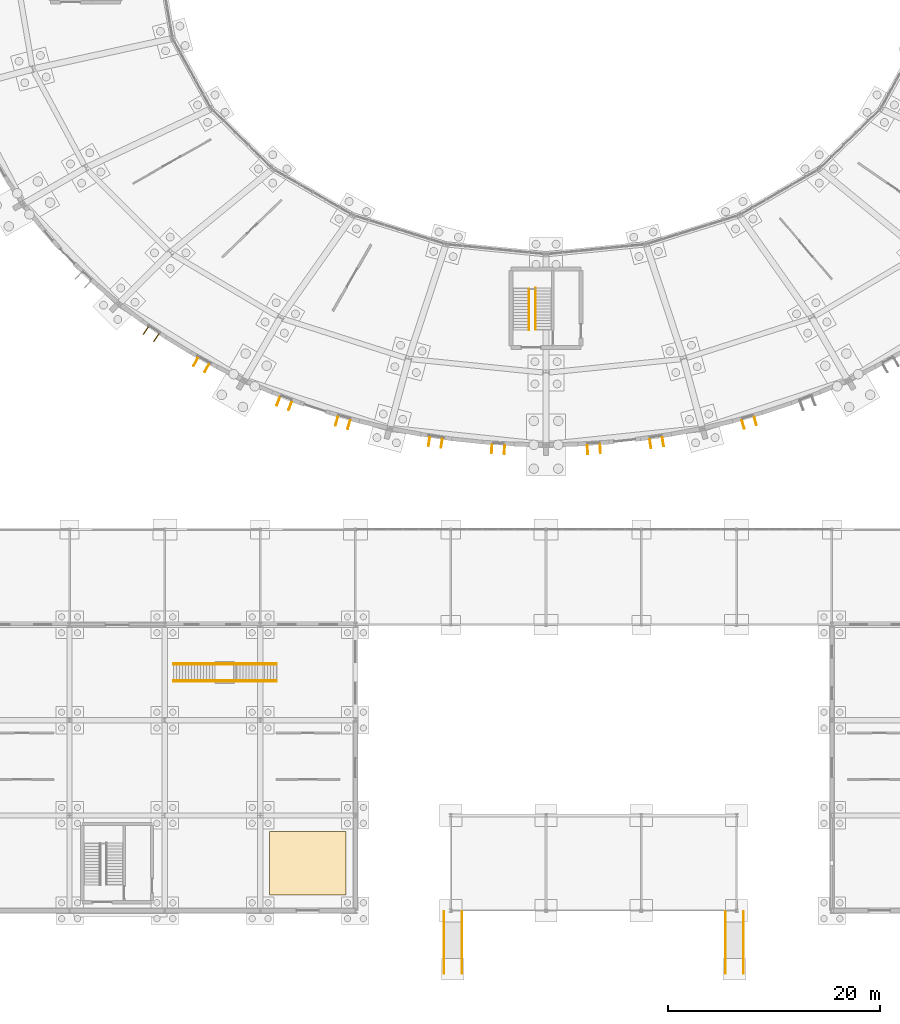
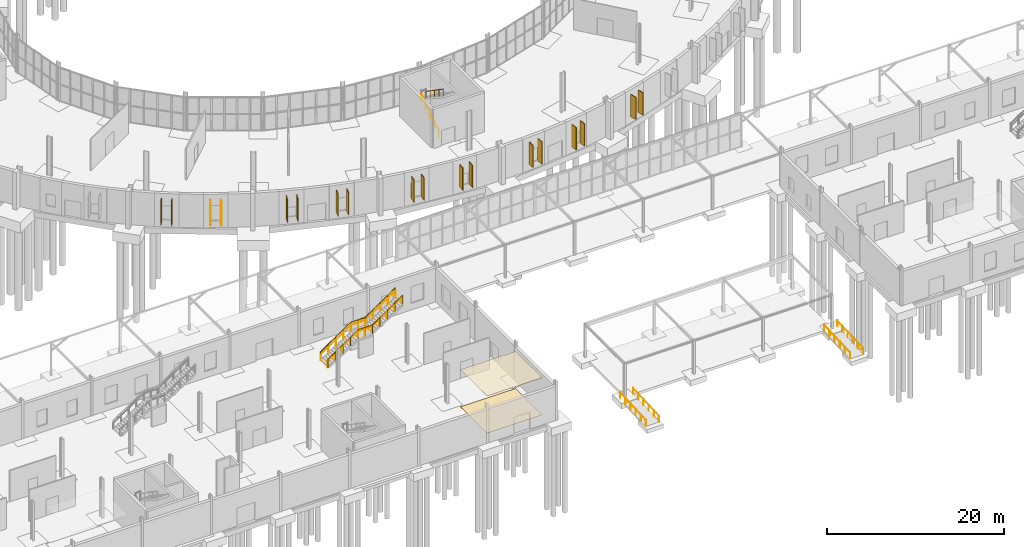
# One storey, part 106 of 118: 18 shading devices, 10 railings, 2 coverings.
"""IFC4 building model written with IfcOpenShell, lengths in metres."""

import ifcopenshell
import ifcopenshell.guid

model = None  # the IFC model being written
_history = None  # IfcOwnerHistory: only IFC2X3 demands one
_inside = {}  # id of a spatial element -> (the spatial element, [elements in it])
_under = {}  # id of a project, library or spatial element -> (it, [spatial elements below it])
_declared = {}  # id of a project -> (the project, [libraries it declares])
_typed = {}  # id of a type object -> (the type object, [elements of that type])
_made_of = {}  # id of a material, layer set ... -> (it, [elements and type objects made of it])


def new_model(schema):
    """Start an empty IFC model of exactly this schema.

    Asked for "IFC4X3", IfcOpenShell would pick the latest addendum, in which some entities
    have other attributes; the version numbers below select the first issue.
    IFC2X3 requires an IfcOwnerHistory on every rooted entity: one is made here for all.
    """
    global model, _history
    if schema == "IFC4X3":
        model = ifcopenshell.file(schema_version=(4, 3, 0, 0))
    else:
        model = ifcopenshell.file(schema=schema)
    _inside.clear()
    _under.clear()
    _declared.clear()
    _typed.clear()
    _made_of.clear()
    _history = None
    if model.schema == "IFC2X3":
        org = make("IfcOrganization", Name="unknown")
        user = make(
            "IfcPersonAndOrganization",
            ThePerson=make("IfcPerson", FamilyName="unknown"),
            TheOrganization=org,
        )
        app = make(
            "IfcApplication",
            ApplicationDeveloper=org,
            Version="unknown",
            ApplicationFullName="unknown",
            ApplicationIdentifier="unknown",
        )
        _history = make(
            "IfcOwnerHistory",
            OwningUser=user,
            OwningApplication=app,
            ChangeAction="ADDED",
            CreationDate=0,
        )
    return model


def make(cls, **values):
    """One entity of the class cls with the attributes given. An attribute that is None is left unset."""
    return model.create_entity(
        cls, **{name: value for name, value in values.items() if value is not None}
    )


def rooted(cls, **values):
    """An entity with a GlobalId (a new one), such as an element, a storey or a relation."""
    return make(cls, GlobalId=ifcopenshell.guid.new(), OwnerHistory=_history, **values)


def si_unit(unit_type, name, prefix=None):
    """IfcSIUnit, for example si_unit("LENGTHUNIT", "METRE", prefix="MILLI")."""
    return make("IfcSIUnit", UnitType=unit_type, Prefix=prefix, Name=name)


def assignment(units):
    """IfcUnitAssignment: the units of a project."""
    return None if units is None else make("IfcUnitAssignment", Units=units)


def point(xyz):
    """IfcCartesianPoint."""
    return None if xyz is None else make("IfcCartesianPoint", Coordinates=xyz)


def direction(xyz):
    """IfcDirection."""
    return None if xyz is None else make("IfcDirection", DirectionRatios=xyz)


def frame(location, z_axis=None, x_axis=None):
    """IfcAxis2Placement3D, a coordinate frame: its origin and axes. An axis left out is left unset."""
    return make(
        "IfcAxis2Placement3D",
        Location=point(location),
        Axis=direction(z_axis),
        RefDirection=direction(x_axis),
    )


def frame_2d(location, x_axis=None):
    """IfcAxis2Placement2D, a coordinate frame in the plane: its origin and x axis."""
    return make(
        "IfcAxis2Placement2D", Location=point(location), RefDirection=direction(x_axis)
    )


def origin():
    """The frame at (0, 0, 0) with its axes left unset."""
    return frame((0.0, 0.0, 0.0))


def origin_2d():
    """The frame at (0, 0) in the plane with its x axis left unset."""
    return frame_2d((0.0, 0.0))


def place(relative_to, where):
    """IfcLocalPlacement: puts the frame where relative to a parent placement (None: the world)."""
    return make(
        "IfcLocalPlacement", PlacementRelTo=relative_to, RelativePlacement=where
    )


def context(
    kind, dimensions, precision=None, world=None, true_north=None, identifier=None
):
    """IfcGeometricRepresentationContext, for example the 3D "Model" context."""
    return make(
        "IfcGeometricRepresentationContext",
        ContextIdentifier=identifier,
        ContextType=kind,
        CoordinateSpaceDimension=dimensions,
        Precision=precision,
        WorldCoordinateSystem=world,
        TrueNorth=true_north,
    )


def subcontext(parent, identifier, kind, view, scale=None):
    """IfcGeometricRepresentationSubContext, for example "Body" below "Model"."""
    return make(
        "IfcGeometricRepresentationSubContext",
        ContextIdentifier=identifier,
        ContextType=kind,
        ParentContext=parent,
        TargetScale=scale,
        TargetView=view,
    )


def project(units=None, contexts=None):
    """IfcProject with its units and contexts."""
    return rooted(
        "IfcProject",
        Name="project",
        RepresentationContexts=contexts,
        UnitsInContext=assignment(units),
    )


def spatial(cls, under=None, at=None, **own):
    """A site, building, storey or space (cls), placed at a placement, below another one or the project."""
    s = rooted(cls, ObjectPlacement=at, **own)
    if under is not None:
        _under.setdefault(under.id(), (under, []))[1].append(s)
    return s


def profile(cls, at=None, kind="AREA", **sizes):
    """A parametric profile (cls). Its sizes go by their IFC names, for example OverallWidth=200.0."""
    return make(cls, ProfileType=kind, Position=at, **sizes)


def rectangle(**sizes):
    """IfcRectangleProfileDef."""
    return profile("IfcRectangleProfileDef", **sizes)


def circle(**sizes):
    """IfcCircleProfileDef."""
    return profile("IfcCircleProfileDef", **sizes)


def extrude(swept, where, along, depth):
    """IfcExtrudedAreaSolid: the profile swept, set in the frame where, extruded along a direction by depth."""
    return make(
        "IfcExtrudedAreaSolid",
        SweptArea=swept,
        Position=where,
        ExtrudedDirection=direction(along),
        Depth=depth,
    )


def shape(context_of_items, identifier, shape_type, items):
    """IfcShapeRepresentation: the items that make up one representation, for example the "Body"."""
    return make(
        "IfcShapeRepresentation",
        ContextOfItems=context_of_items,
        RepresentationIdentifier=identifier,
        RepresentationType=shape_type,
        Items=items,
    )


def material(Name=None, Category=None):
    """IfcMaterial."""
    return make("IfcMaterial", Name=Name, Category=Category)


def layer(
    of_material, thickness, ventilated=None, Name=None, Category=None, Priority=None
):
    """IfcMaterialLayer: one layer of a wall or slab, of a material (None: an air gap)."""
    return make(
        "IfcMaterialLayer",
        Material=of_material,
        LayerThickness=thickness,
        IsVentilated=ventilated,
        Name=Name,
        Category=Category,
        Priority=Priority,
    )


def layer_set(layers, Name=None):
    """IfcMaterialLayerSet."""
    return make("IfcMaterialLayerSet", MaterialLayers=layers, LayerSetName=Name)


def made_of(thing, what):
    """Note that an element or type object is made of a material, layer set ...; save() writes the relation."""
    if what is not None:
        _made_of.setdefault(what.id(), (what, []))[1].append(thing)
    return thing


def type_object(cls, material=None, **own):
    """A type object (cls), such as IfcWallType, which elements share."""
    return made_of(rooted(cls, **own), material)


def element(
    cls,
    number,
    at=None,
    inside=None,
    cuts=None,
    type_object=None,
    material=None,
    context=None,
    identifier="Body",
    shape_type=None,
    held_by="IfcProductDefinitionShape",
    body=None,
    shapes=None,
    **own,
):
    """One element of the class cls, such as IfcWall. Its Tag is "e" and its number.

    at: its placement. inside: the storey or other place that contains it. cuts: it is an
    opening in that element (IfcRelVoidsElement). A single representation is given by context,
    identifier, shape_type and body (its items); several are given by shapes. held_by: the class
    of the entity that holds the representations. save() writes the other relations.
    """
    e = rooted(cls, Tag="e%d" % number, ObjectPlacement=at, **own)
    if body is not None:
        shapes = [shape(context, identifier, shape_type, body)]
    if shapes is not None:
        e.Representation = make(held_by, Representations=shapes)
    if inside is not None:
        _inside.setdefault(inside.id(), (inside, []))[1].append(e)
    if cuts is not None:
        rooted(
            "IfcRelVoidsElement", RelatingBuildingElement=cuts, RelatedOpeningElement=e
        )
    if type_object is not None:
        _typed.setdefault(type_object.id(), (type_object, []))[1].append(e)
    return made_of(e, material)


def aggregate(whole, parts):
    """IfcRelAggregates: a whole, such as a stair, and the parts it consists of."""
    return rooted("IfcRelAggregates", RelatingObject=whole, RelatedObjects=parts)


def save(model, path):
    """Write the relations noted so far, then the file.

    IfcRelAggregates (storeys below a building ...), IfcRelContainedInSpatialStructure (elements
    in a storey), IfcRelDefinesByType, IfcRelAssociatesMaterial and IfcRelDeclares: one each for
    every whole, place, type object, material and project.
    """
    for whole, parts in _under.values():
        aggregate(whole, parts)
    for where, things in _inside.values():
        rooted(
            "IfcRelContainedInSpatialStructure",
            RelatedElements=things,
            RelatingStructure=where,
        )
    for kind, things in _typed.values():
        rooted("IfcRelDefinesByType", RelatedObjects=things, RelatingType=kind)
    for what, things in _made_of.values():
        rooted("IfcRelAssociatesMaterial", RelatedObjects=things, RelatingMaterial=what)
    for by, libraries in _declared.values():
        rooted("IfcRelDeclares", RelatingContext=by, RelatedDefinitions=libraries)
    model.write(path)


model = new_model("IFC4")

# Units and contexts
model_context = context("Model", 3, precision=1e-05, world=origin(), true_north=direction((0.0, 1.0)))
body_context = subcontext(model_context, "Body", "Model", "MODEL_VIEW")
ifc_project = project(units=[si_unit("LENGTHUNIT", "METRE"), si_unit("AREAUNIT", "SQUARE_METRE"), si_unit("VOLUMEUNIT", "CUBIC_METRE"), si_unit("PLANEANGLEUNIT", "RADIAN"), si_unit("MASSUNIT", "GRAM", prefix="KILO")], contexts=[model_context])

# Site, building, storey
site_placement = place(None, origin())
site = spatial("IfcSite", under=ifc_project, at=site_placement, CompositionType="ELEMENT")
building_placement = place(site_placement, origin())
building = spatial("IfcBuilding", under=site, at=building_placement, Name="Kildeholm Park Wholesale Market", CompositionType="ELEMENT")
storey_placement = place(building_placement, origin())
storey = spatial("IfcBuildingStorey", under=building, at=storey_placement, Name="L00", CompositionType="ELEMENT", Elevation=0.0)

# Shading devices
ifc_material_1 = material(Name="Glazed ceramic and anodised aluminium brise-soleil", Category="aluminium")
ifc_layer_1 = layer(ifc_material_1, 0.080078125)
ifc_layer_set_1 = layer_set([ifc_layer_1], Name="Glazed ceramic and anodised aluminium brise-soleil")
shading_device_type = type_object("IfcShadingDeviceType", Name="Brise-soleil solar fin SH-FIN1 850x80", PredefinedType="USERDEFINED", material=ifc_layer_set_1)
for number, where, z_axis, x_axis, name in (
    (1, (61.193115234375, 54.775390625, 0.849853515625), (0.0, 0.0, 1.0), (-0.563035733151, -0.826432552115, 0.0), "Brise-soleil fin V1-15-1.1 SHD-0020"),
    (2, (62.184814453125, 54.099609375, 0.849853515625), (0.0, 0.0, 1.0), (-0.563035733151, -0.826432552115, 0.0), "Brise-soleil fin V1-15-1.2 SHD-0021"),
    (3, (65.913818359375, 51.81640625, 0.849853515625), (0.0, 0.0, 1.0), (-0.481157079508, -0.876634396336, 0.0), "Brise-soleil fin V1-15-3.1 SHD-0022"),
    (4, (66.965576171875, 51.239013671875, 0.849853515625), (0.0, 0.0, 1.0), (-0.481157079508, -0.876634396336, 0.0), "Brise-soleil fin V1-15-3.2 SHD-0023"),
    (5, (73.717529296875, 48.11181640625, 0.849853515625), (0.0, 0.0, 1.0), (-0.355514823241, -0.93467064277, 0.0), "Brise-soleil fin V1-16-1.1 SHD-0025"),
    (6, (74.839111328125, 47.68505859375, 0.849853515625), (0.0, 0.0, 1.0), (-0.355514823241, -0.93467064277, 0.0), "Brise-soleil fin V1-16-1.2 SHD-0026"),
    (7, (79.228759765625, 46.233642578125, 0.849853515625), (0.0, 0.0, 1.0), (-0.272045124705, -0.962284495419, 0.0), "Brise-soleil fin V1-16-3.1 SHD-0027"),
    (8, (80.383544921875, 45.9072265625, 0.849853515625), (0.0, 0.0, 1.0), (-0.272045124705, -0.962284495419, 0.0), "Brise-soleil fin V1-16-3.2 SHD-0028"),
    (9, (87.955810546875, 44.30322265625, 0.849853515625), (0.0, 0.0, 1.0), (-0.146117560592, -0.989267233101, 0.0), "Brise-soleil fin V1-17-1.1 SHD-0030"),
    (10, (89.14306640625, 44.1279296875, 0.849853515625), (0.0, 0.0, 1.0), (-0.146117560592, -0.989267233101, 0.0), "Brise-soleil fin V1-17-1.2 SHD-0031"),
    (11, (93.879150390625, 43.630615234375, 0.849853515625), (0.0, 0.0, 1.0), (-0.063069218716, -0.998009155094, 0.0), "Brise-soleil fin V1-17-3.1 SHD-0032"),
    (12, (95.07666015625, 43.5546875, 0.849853515625), (0.0, 0.0, 1.0), (-0.063069218716, -0.998009155094, 0.0), "Brise-soleil fin V1-17-3.2 SHD-0033"),
    (13, (102.92431640625, 43.539794921875, 0.849853515625), (0.0, 0.0, 1.0), (0.063069218716, -0.998009155094, 0.0), "Brise-soleil fin V1-18-1.1 SHD-0035"),
    (14, (104.121826171875, 43.615478515625, 0.849853515625), (0.0, 0.0, 1.0), (0.063069218716, -0.998009155094, 0.0), "Brise-soleil fin V1-18-1.2 SHD-0036"),
    (15, (108.859130859375, 44.113037109375, 0.849853515625), (0.0, 0.0, 1.0), (0.146117560592, -0.989267233101, 0.0), "Brise-soleil fin V1-18-3.1 SHD-0037"),
    (16, (110.04638671875, 44.288330078125, 0.849853515625), (0.0, 0.0, 1.0), (0.146117560592, -0.989267233101, 0.0), "Brise-soleil fin V1-18-3.2 SHD-0038"),
    (17, (117.6123046875, 45.921630859375, 0.849853515625), (0.0, 0.0, 1.0), (0.272045124705, -0.962284495419, 0.0), "Brise-soleil fin V1-19-1.1 SHD-0040"),
    (18, (118.76708984375, 46.248046875, 0.849853515625), (0.0, 0.0, 1.0), (0.272045124705, -0.962284495419, 0.0), "Brise-soleil fin V1-19-1.2 SHD-0041"),
):
    element("IfcShadingDevice", number, at=place(storey_placement, frame(where, z_axis=z_axis, x_axis=x_axis)), inside=storey, type_object=shading_device_type, Name=name, ObjectType="SOLAR FIN", PredefinedType="USERDEFINED", context=body_context, shape_type="SweptSolid", body=[
        extrude(rectangle(XDim=0.85009765625, YDim=0.080078125, at=origin_2d()), origin(), (0.0, 0.0, 1.0), 3.10009765625),
    ])

# Coverings
ifc_material_2 = material(Name="Polished terrazzo flooring")
ifc_layer_2 = layer(ifc_material_2, 0.030029296875)
ifc_layer_set_2 = layer_set([ifc_layer_2], Name="Polished terrazzo flooring")
covering_type_1 = type_object("IfcCoveringType", Name="Heavy-duty terrazzo market flooring CV-FLR1 30 mm", PredefinedType="FLOORING", material=ifc_layer_set_2)
covering_1_placement = place(storey_placement, frame((76.5, 4.5, 0.0), z_axis=(0.0, 0.0, 1.0), x_axis=(1.0, 0.0, 0.0)))
element("IfcCovering", 19, at=covering_1_placement, inside=storey, type_object=covering_type_1, Name="Market floor finish 2 COV-0043", PredefinedType="FLOORING", context=body_context, shape_type="SweptSolid", body=[
    extrude(rectangle(XDim=7.199951171875, YDim=6.0, at=origin_2d()), origin(), (0.0, 0.0, 1.0), 0.030029296875),
])
ifc_material_3 = material(Name="Washable acoustic mineral-fibre and aluminium ceiling", Category="aluminium")
ifc_layer_3 = layer(ifc_material_3, 0.044921875)
ifc_layer_set_3 = layer_set([ifc_layer_3], Name="Washable acoustic mineral-fibre and aluminium ceiling")
covering_type_2 = type_object("IfcCoveringType", Name="Hygienic acoustic suspended ceiling CV-CLG1 45 mm", PredefinedType="CEILING", material=ifc_layer_set_3)
covering_2_placement = place(storey_placement, frame((76.5, 4.5, 5.10498046875), z_axis=(0.0, 0.0, 1.0), x_axis=(1.0, 0.0, 0.0)))
element("IfcCovering", 20, at=covering_2_placement, inside=storey, type_object=covering_type_2, Name="Acoustic ceiling 2 COV-0044", PredefinedType="CEILING", context=body_context, shape_type="SweptSolid", body=[
    extrude(rectangle(XDim=7.199951171875, YDim=6.0, at=origin_2d()), origin(), (0.0, 0.0, 1.0), 0.044921875),
])

# Railings
ifc_material_4 = material(Name="Painted steel and laminated glass balustrade", Category="steel")
railing_type_1 = type_object("IfcRailingType", Name="Interior gallery and stairwell guard GR-IN1 1200 mm", PredefinedType="GUARDRAIL", material=ifc_material_4)
railing_1_placement = place(storey_placement, frame((63.800048828125, 21.659912109375, 0.0)))
element("IfcRailing", 21, at=railing_1_placement, inside=storey, type_object=railing_type_1, Name="Feature stair guard ST-FT03 S RLG-0164", PredefinedType="GUARDRAIL", context=body_context, shape_type="SweptSolid", body=[
    extrude(circle(Radius=0.02392578125, at=origin_2d()), frame((0.0, 0.0, 1.17578125), z_axis=(0.825565005729, 0.0, 0.564307027527), x_axis=(0.0, 1.0, 0.0)), (0.0, 0.0, 1.0), 4.784423828125),
    extrude(circle(Radius=0.02392578125, at=origin_2d()), frame((3.949951171875, 0.0, 3.8759765625), z_axis=(1.0, 0.0, 0.0), x_axis=(0.0, 1.0, 0.0)), (0.0, 0.0, 1.0), 1.85009765625),
    extrude(circle(Radius=0.02392578125, at=origin_2d()), frame((5.800048828125, 0.0, 3.8759765625), z_axis=(0.82422564366, 0.0, 0.566261501723), x_axis=(0.0, 1.0, 0.0)), (0.0, 0.0, 1.0), 4.76806640625),
    extrude(circle(Radius=0.02099609375, at=origin_2d()), origin(), (0.0, 0.0, 1.0), 1.15185546875),
    extrude(circle(Radius=0.02099609375, at=origin_2d()), frame((0.987548828125, 0.0, 0.675048828125)), (0.0, 0.0, 1.0), 1.15185546875),
    extrude(circle(Radius=0.02099609375, at=origin_2d()), frame((1.97509765625, 0.0, 1.35009765625)), (0.0, 0.0, 1.0), 1.15185546875),
    extrude(circle(Radius=0.02099609375, at=origin_2d()), frame((2.96240234375, 0.0, 2.02490234375)), (0.0, 0.0, 1.0), 1.15185546875),
    extrude(circle(Radius=0.02099609375, at=origin_2d()), frame((3.949951171875, 0.0, 2.699951171875)), (0.0, 0.0, 1.0), 1.15185546875),
    extrude(circle(Radius=0.02099609375, at=origin_2d()), frame((4.875, 0.0, 2.699951171875)), (0.0, 0.0, 1.0), 1.15185546875),
    extrude(circle(Radius=0.02099609375, at=origin_2d()), frame((5.800048828125, 0.0, 2.699951171875)), (0.0, 0.0, 1.0), 1.15185546875),
    extrude(circle(Radius=0.02099609375, at=origin_2d()), frame((6.782470703125, 0.0, 3.375)), (0.0, 0.0, 1.0), 1.15185546875),
    extrude(circle(Radius=0.02099609375, at=origin_2d()), frame((7.76513671875, 0.0, 4.0498046875)), (0.0, 0.0, 1.0), 1.15185546875),
    extrude(circle(Radius=0.02099609375, at=origin_2d()), frame((8.74755859375, 0.0, 4.724853515625)), (0.0, 0.0, 1.0), 1.15185546875),
    extrude(circle(Radius=0.02099609375, at=origin_2d()), frame((9.72998046875, 0.0, 5.39990234375)), (0.0, 0.0, 1.0), 1.15185546875),
])
railing_2_placement = place(storey_placement, frame((63.800048828125, 23.340087890625, 0.0)))
element("IfcRailing", 22, at=railing_2_placement, inside=storey, type_object=railing_type_1, Name="Feature stair guard ST-FT03 N RLG-0166", PredefinedType="GUARDRAIL", context=body_context, shape_type="SweptSolid", body=[
    extrude(circle(Radius=0.02392578125, at=origin_2d()), frame((0.0, 0.0, 1.17578125), z_axis=(0.825565005729, 0.0, 0.564307027527), x_axis=(0.0, 1.0, 0.0)), (0.0, 0.0, 1.0), 4.784423828125),
    extrude(circle(Radius=0.02392578125, at=origin_2d()), frame((3.949951171875, 0.0, 3.8759765625), z_axis=(1.0, 0.0, 0.0), x_axis=(0.0, 1.0, 0.0)), (0.0, 0.0, 1.0), 1.85009765625),
    extrude(circle(Radius=0.02392578125, at=origin_2d()), frame((5.800048828125, 0.0, 3.8759765625), z_axis=(0.82422564366, 0.0, 0.566261501723), x_axis=(0.0, 1.0, 0.0)), (0.0, 0.0, 1.0), 4.76806640625),
    extrude(circle(Radius=0.02099609375, at=origin_2d()), origin(), (0.0, 0.0, 1.0), 1.15185546875),
    extrude(circle(Radius=0.02099609375, at=origin_2d()), frame((0.987548828125, 0.0, 0.675048828125)), (0.0, 0.0, 1.0), 1.15185546875),
    extrude(circle(Radius=0.02099609375, at=origin_2d()), frame((1.97509765625, 0.0, 1.35009765625)), (0.0, 0.0, 1.0), 1.15185546875),
    extrude(circle(Radius=0.02099609375, at=origin_2d()), frame((2.96240234375, 0.0, 2.02490234375)), (0.0, 0.0, 1.0), 1.15185546875),
    extrude(circle(Radius=0.02099609375, at=origin_2d()), frame((3.949951171875, 0.0, 2.699951171875)), (0.0, 0.0, 1.0), 1.15185546875),
    extrude(circle(Radius=0.02099609375, at=origin_2d()), frame((4.875, 0.0, 2.699951171875)), (0.0, 0.0, 1.0), 1.15185546875),
    extrude(circle(Radius=0.02099609375, at=origin_2d()), frame((5.800048828125, 0.0, 2.699951171875)), (0.0, 0.0, 1.0), 1.15185546875),
    extrude(circle(Radius=0.02099609375, at=origin_2d()), frame((6.782470703125, 0.0, 3.375)), (0.0, 0.0, 1.0), 1.15185546875),
    extrude(circle(Radius=0.02099609375, at=origin_2d()), frame((7.76513671875, 0.0, 4.0498046875)), (0.0, 0.0, 1.0), 1.15185546875),
    extrude(circle(Radius=0.02099609375, at=origin_2d()), frame((8.74755859375, 0.0, 4.724853515625)), (0.0, 0.0, 1.0), 1.15185546875),
    extrude(circle(Radius=0.02099609375, at=origin_2d()), frame((9.72998046875, 0.0, 5.39990234375)), (0.0, 0.0, 1.0), 1.15185546875),
])
ifc_material_5 = material(Name="Stainless steel AISI 316 handrail", Category="steel")
railing_type_2 = type_object("IfcRailingType", Name="Ramp handrail HR-EX1 900 mm", PredefinedType="HANDRAIL", material=ifc_material_5)
for number, where, name in (
    (23, (91.050048828125, -5.919921875, -0.300048828125), "Ramp handrail RM-PK-W R RLG-0010"),
    (24, (89.35009765625, -5.919921875, -0.300048828125), "Ramp handrail RM-PK-W L RLG-0011"),
    (25, (117.64990234375, -5.919921875, -0.300048828125), "Ramp handrail RM-PK-E R RLG-0012"),
    (26, (115.949951171875, -5.919921875, -0.300048828125), "Ramp handrail RM-PK-E L RLG-0013"),
):
    element("IfcRailing", number, at=place(storey_placement, frame(where)), inside=storey, type_object=railing_type_2, Name=name, PredefinedType="HANDRAIL", context=body_context, shape_type="SweptSolid", body=[
        extrude(circle(Radius=0.02392578125, at=origin_2d()), frame((0.0, 0.0, 0.8759765625), z_axis=(0.0, 0.998687171473, 0.051224345133), x_axis=(-1.0, 0.0, 0.0)), (0.0, 0.0, 1.0), 5.857421875),
        extrude(circle(Radius=0.02099609375, at=origin_2d()), origin(), (0.0, 0.0, 1.0), 0.851806640625),
        extrude(circle(Radius=0.02099609375, at=origin_2d()), frame((0.0, 1.169921875, 0.06005859375)), (0.0, 0.0, 1.0), 0.851806640625),
        extrude(circle(Radius=0.02099609375, at=origin_2d()), frame((0.0, 2.33984375, 0.1201171875)), (0.0, 0.0, 1.0), 0.851806640625),
        extrude(circle(Radius=0.02099609375, at=origin_2d()), frame((0.0, 3.510009765625, 0.179931640625)), (0.0, 0.0, 1.0), 0.851806640625),
        extrude(circle(Radius=0.02099609375, at=origin_2d()), frame((0.0, 4.679931640625, 0.239990234375)), (0.0, 0.0, 1.0), 0.851806640625),
        extrude(circle(Radius=0.02099609375, at=origin_2d()), frame((0.0, 5.849853515625, 0.300048828125)), (0.0, 0.0, 1.0), 0.851806640625),
    ])
railing_type_3 = type_object("IfcRailingType", Name="Stair flight handrail HR-IN1 900 mm", PredefinedType="HANDRAIL", material=ifc_material_5)
railing_3_placement = place(storey_placement, frame((97.39990234375, 54.820068359375, 0.0)))
element("IfcRailing", 27, at=railing_3_placement, inside=storey, type_object=railing_type_3, Name="Stair C10 flight 1 handrail L00 RLG-0116", PredefinedType="HANDRAIL", context=body_context, shape_type="SweptSolid", body=[
    extrude(circle(Radius=0.02392578125, at=origin_2d()), frame((0.0, 0.0, 0.8759765625), z_axis=(0.0, 0.823550731654, 0.567242622158), x_axis=(-1.0, 0.0, 0.0)), (0.0, 0.0, 1.0), 4.759765625),
    extrude(circle(Radius=0.02099609375, at=origin_2d()), origin(), (0.0, 0.0, 1.0), 0.851806640625),
    extrude(circle(Radius=0.02099609375, at=origin_2d()), frame((0.0, 0.97998046875, 0.675048828125)), (0.0, 0.0, 1.0), 0.851806640625),
    extrude(circle(Radius=0.02099609375, at=origin_2d()), frame((0.0, 1.9599609375, 1.35009765625)), (0.0, 0.0, 1.0), 0.851806640625),
    extrude(circle(Radius=0.02099609375, at=origin_2d()), frame((0.0, 2.93994140625, 2.02490234375)), (0.0, 0.0, 1.0), 0.851806640625),
    extrude(circle(Radius=0.02099609375, at=origin_2d()), frame((0.0, 3.919921875, 2.699951171875)), (0.0, 0.0, 1.0), 0.851806640625),
])
railing_4_placement = place(storey_placement, frame((98.010009765625, 58.800048828125, 2.699951171875)))
element("IfcRailing", 28, at=railing_4_placement, inside=storey, type_object=railing_type_3, Name="Stair C10 flight 2 handrail L00 RLG-0117", PredefinedType="HANDRAIL", context=body_context, shape_type="SweptSolid", body=[
    extrude(circle(Radius=0.02392578125, at=origin_2d()), frame((0.0, 0.0, 0.8759765625), z_axis=(0.0, -0.823567234665, 0.567218661528), x_axis=(1.0, 0.0, 0.0)), (0.0, 0.0, 1.0), 4.760009765625),
    extrude(circle(Radius=0.02099609375, at=origin_2d()), origin(), (0.0, 0.0, 1.0), 0.851806640625),
    extrude(circle(Radius=0.02099609375, at=origin_2d()), frame((0.0, -0.97998046875, 0.675048828125)), (0.0, 0.0, 1.0), 0.851806640625),
    extrude(circle(Radius=0.02099609375, at=origin_2d()), frame((0.0, -1.9599609375, 1.35009765625)), (0.0, 0.0, 1.0), 0.851806640625),
    extrude(circle(Radius=0.02099609375, at=origin_2d()), frame((0.0, -2.940185546875, 2.02490234375)), (0.0, 0.0, 1.0), 0.851806640625),
    extrude(circle(Radius=0.02099609375, at=origin_2d()), frame((0.0, -3.920166015625, 2.699951171875)), (0.0, 0.0, 1.0), 0.851806640625),
])
railing_5_placement = place(storey_placement, frame((63.800048828125, 21.743896484375, 0.0)))
element("IfcRailing", 29, at=railing_5_placement, inside=storey, type_object=railing_type_3, Name="Feature stair handrail ST-FT03 S RLG-0165", PredefinedType="HANDRAIL", context=body_context, shape_type="SweptSolid", body=[
    extrude(circle(Radius=0.02392578125, at=origin_2d()), frame((0.0, 0.0, 0.8759765625), z_axis=(0.825565005729, 0.0, 0.564307027527), x_axis=(0.0, 1.0, 0.0)), (0.0, 0.0, 1.0), 4.784423828125),
    extrude(circle(Radius=0.02392578125, at=origin_2d()), frame((3.949951171875, 0.0, 3.57568359375), z_axis=(1.0, 0.0, 0.0), x_axis=(0.0, 1.0, 0.0)), (0.0, 0.0, 1.0), 1.85009765625),
    extrude(circle(Radius=0.02392578125, at=origin_2d()), frame((5.800048828125, 0.0, 3.57568359375), z_axis=(0.82422564366, 0.0, 0.566261501723), x_axis=(0.0, 1.0, 0.0)), (0.0, 0.0, 1.0), 4.76806640625),
    extrude(circle(Radius=0.02099609375, at=origin_2d()), origin(), (0.0, 0.0, 1.0), 0.851806640625),
    extrude(circle(Radius=0.02099609375, at=origin_2d()), frame((0.987548828125, 0.0, 0.675048828125)), (0.0, 0.0, 1.0), 0.851806640625),
    extrude(circle(Radius=0.02099609375, at=origin_2d()), frame((1.97509765625, 0.0, 1.35009765625)), (0.0, 0.0, 1.0), 0.851806640625),
    extrude(circle(Radius=0.02099609375, at=origin_2d()), frame((2.96240234375, 0.0, 2.02490234375)), (0.0, 0.0, 1.0), 0.851806640625),
    extrude(circle(Radius=0.02099609375, at=origin_2d()), frame((3.949951171875, 0.0, 2.699951171875)), (0.0, 0.0, 1.0), 0.851806640625),
    extrude(circle(Radius=0.02099609375, at=origin_2d()), frame((4.875, 0.0, 2.699951171875)), (0.0, 0.0, 1.0), 0.851806640625),
    extrude(circle(Radius=0.02099609375, at=origin_2d()), frame((5.800048828125, 0.0, 2.699951171875)), (0.0, 0.0, 1.0), 0.851806640625),
    extrude(circle(Radius=0.02099609375, at=origin_2d()), frame((6.782470703125, 0.0, 3.375)), (0.0, 0.0, 1.0), 0.851806640625),
    extrude(circle(Radius=0.02099609375, at=origin_2d()), frame((7.76513671875, 0.0, 4.0498046875)), (0.0, 0.0, 1.0), 0.851806640625),
    extrude(circle(Radius=0.02099609375, at=origin_2d()), frame((8.74755859375, 0.0, 4.724853515625)), (0.0, 0.0, 1.0), 0.851806640625),
    extrude(circle(Radius=0.02099609375, at=origin_2d()), frame((9.72998046875, 0.0, 5.39990234375)), (0.0, 0.0, 1.0), 0.851806640625),
])
railing_6_placement = place(storey_placement, frame((63.800048828125, 23.256103515625, 0.0)))
element("IfcRailing", 30, at=railing_6_placement, inside=storey, type_object=railing_type_3, Name="Feature stair handrail ST-FT03 N RLG-0167", PredefinedType="HANDRAIL", context=body_context, shape_type="SweptSolid", body=[
    extrude(circle(Radius=0.02392578125, at=origin_2d()), frame((0.0, 0.0, 0.8759765625), z_axis=(0.825565005729, 0.0, 0.564307027527), x_axis=(0.0, 1.0, 0.0)), (0.0, 0.0, 1.0), 4.784423828125),
    extrude(circle(Radius=0.02392578125, at=origin_2d()), frame((3.949951171875, 0.0, 3.57568359375), z_axis=(1.0, 0.0, 0.0), x_axis=(0.0, 1.0, 0.0)), (0.0, 0.0, 1.0), 1.85009765625),
    extrude(circle(Radius=0.02392578125, at=origin_2d()), frame((5.800048828125, 0.0, 3.57568359375), z_axis=(0.82422564366, 0.0, 0.566261501723), x_axis=(0.0, 1.0, 0.0)), (0.0, 0.0, 1.0), 4.76806640625),
    extrude(circle(Radius=0.02099609375, at=origin_2d()), origin(), (0.0, 0.0, 1.0), 0.851806640625),
    extrude(circle(Radius=0.02099609375, at=origin_2d()), frame((0.987548828125, 0.0, 0.675048828125)), (0.0, 0.0, 1.0), 0.851806640625),
    extrude(circle(Radius=0.02099609375, at=origin_2d()), frame((1.97509765625, 0.0, 1.35009765625)), (0.0, 0.0, 1.0), 0.851806640625),
    extrude(circle(Radius=0.02099609375, at=origin_2d()), frame((2.96240234375, 0.0, 2.02490234375)), (0.0, 0.0, 1.0), 0.851806640625),
    extrude(circle(Radius=0.02099609375, at=origin_2d()), frame((3.949951171875, 0.0, 2.699951171875)), (0.0, 0.0, 1.0), 0.851806640625),
    extrude(circle(Radius=0.02099609375, at=origin_2d()), frame((4.875, 0.0, 2.699951171875)), (0.0, 0.0, 1.0), 0.851806640625),
    extrude(circle(Radius=0.02099609375, at=origin_2d()), frame((5.800048828125, 0.0, 2.699951171875)), (0.0, 0.0, 1.0), 0.851806640625),
    extrude(circle(Radius=0.02099609375, at=origin_2d()), frame((6.782470703125, 0.0, 3.375)), (0.0, 0.0, 1.0), 0.851806640625),
    extrude(circle(Radius=0.02099609375, at=origin_2d()), frame((7.76513671875, 0.0, 4.0498046875)), (0.0, 0.0, 1.0), 0.851806640625),
    extrude(circle(Radius=0.02099609375, at=origin_2d()), frame((8.74755859375, 0.0, 4.724853515625)), (0.0, 0.0, 1.0), 0.851806640625),
    extrude(circle(Radius=0.02099609375, at=origin_2d()), frame((9.72998046875, 0.0, 5.39990234375)), (0.0, 0.0, 1.0), 0.851806640625),
])

save(model, "model.ifc")
